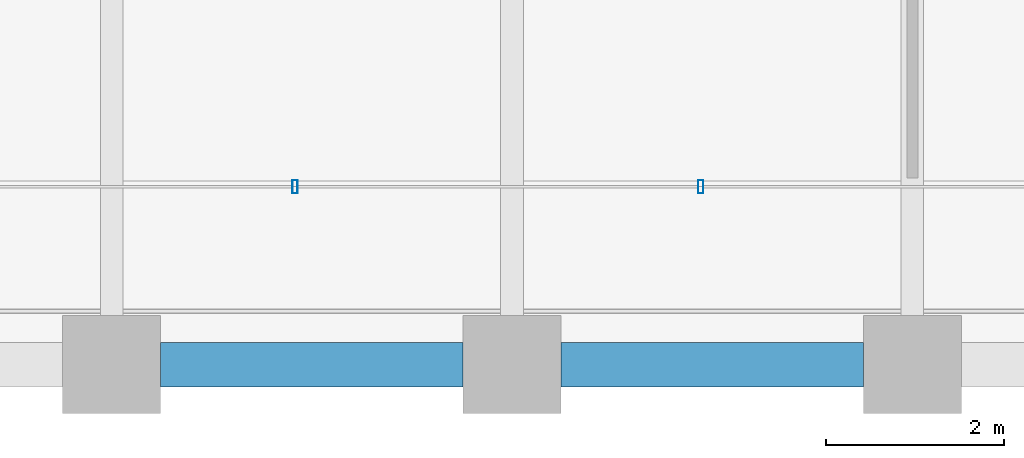
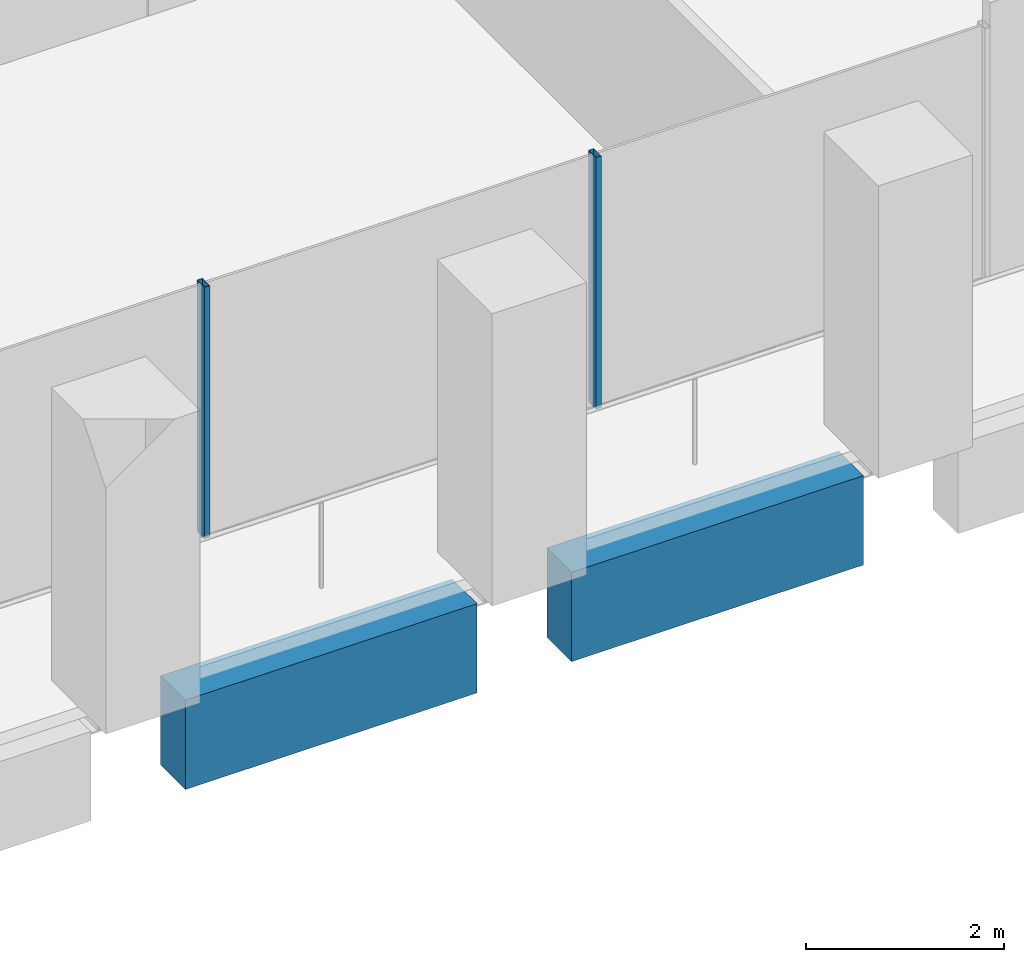
# One storey, part 3 of 56: 2 beams, 2 members, 1 element without a shape of its own.
"""IFC4 building model written with IfcOpenShell, lengths in metres."""

import ifcopenshell
import ifcopenshell.guid

model = None  # the IFC model being written
_history = None  # IfcOwnerHistory: only IFC2X3 demands one
_inside = {}  # id of a spatial element -> (the spatial element, [elements in it])
_under = {}  # id of a project, library or spatial element -> (it, [spatial elements below it])
_declared = {}  # id of a project -> (the project, [libraries it declares])
_typed = {}  # id of a type object -> (the type object, [elements of that type])
_made_of = {}  # id of a material, layer set ... -> (it, [elements and type objects made of it])


def new_model(schema):
    """Start an empty IFC model of exactly this schema.

    Asked for "IFC4X3", IfcOpenShell would pick the latest addendum, in which some entities
    have other attributes; the version numbers below select the first issue.
    IFC2X3 requires an IfcOwnerHistory on every rooted entity: one is made here for all.
    """
    global model, _history
    if schema == "IFC4X3":
        model = ifcopenshell.file(schema_version=(4, 3, 0, 0))
    else:
        model = ifcopenshell.file(schema=schema)
    _inside.clear()
    _under.clear()
    _declared.clear()
    _typed.clear()
    _made_of.clear()
    _history = None
    if model.schema == "IFC2X3":
        org = make("IfcOrganization", Name="unknown")
        user = make(
            "IfcPersonAndOrganization",
            ThePerson=make("IfcPerson", FamilyName="unknown"),
            TheOrganization=org,
        )
        app = make(
            "IfcApplication",
            ApplicationDeveloper=org,
            Version="unknown",
            ApplicationFullName="unknown",
            ApplicationIdentifier="unknown",
        )
        _history = make(
            "IfcOwnerHistory",
            OwningUser=user,
            OwningApplication=app,
            ChangeAction="ADDED",
            CreationDate=0,
        )
    return model


def make(cls, **values):
    """One entity of the class cls with the attributes given. An attribute that is None is left unset."""
    return model.create_entity(
        cls, **{name: value for name, value in values.items() if value is not None}
    )


def rooted(cls, **values):
    """An entity with a GlobalId (a new one), such as an element, a storey or a relation."""
    return make(cls, GlobalId=ifcopenshell.guid.new(), OwnerHistory=_history, **values)


def si_unit(unit_type, name, prefix=None):
    """IfcSIUnit, for example si_unit("LENGTHUNIT", "METRE", prefix="MILLI")."""
    return make("IfcSIUnit", UnitType=unit_type, Prefix=prefix, Name=name)


def assignment(units):
    """IfcUnitAssignment: the units of a project."""
    return None if units is None else make("IfcUnitAssignment", Units=units)


def point(xyz):
    """IfcCartesianPoint."""
    return None if xyz is None else make("IfcCartesianPoint", Coordinates=xyz)


def direction(xyz):
    """IfcDirection."""
    return None if xyz is None else make("IfcDirection", DirectionRatios=xyz)


def frame(location, z_axis=None, x_axis=None):
    """IfcAxis2Placement3D, a coordinate frame: its origin and axes. An axis left out is left unset."""
    return make(
        "IfcAxis2Placement3D",
        Location=point(location),
        Axis=direction(z_axis),
        RefDirection=direction(x_axis),
    )


def frame_2d(location, x_axis=None):
    """IfcAxis2Placement2D, a coordinate frame in the plane: its origin and x axis."""
    return make(
        "IfcAxis2Placement2D", Location=point(location), RefDirection=direction(x_axis)
    )


def origin():
    """The frame at (0, 0, 0) with its axes left unset."""
    return frame((0.0, 0.0, 0.0))


def origin_2d():
    """The frame at (0, 0) in the plane with its x axis left unset."""
    return frame_2d((0.0, 0.0))


def place(relative_to, where):
    """IfcLocalPlacement: puts the frame where relative to a parent placement (None: the world)."""
    return make(
        "IfcLocalPlacement", PlacementRelTo=relative_to, RelativePlacement=where
    )


def context(
    kind, dimensions, precision=None, world=None, true_north=None, identifier=None
):
    """IfcGeometricRepresentationContext, for example the 3D "Model" context."""
    return make(
        "IfcGeometricRepresentationContext",
        ContextIdentifier=identifier,
        ContextType=kind,
        CoordinateSpaceDimension=dimensions,
        Precision=precision,
        WorldCoordinateSystem=world,
        TrueNorth=true_north,
    )


def subcontext(parent, identifier, kind, view, scale=None):
    """IfcGeometricRepresentationSubContext, for example "Body" below "Model"."""
    return make(
        "IfcGeometricRepresentationSubContext",
        ContextIdentifier=identifier,
        ContextType=kind,
        ParentContext=parent,
        TargetScale=scale,
        TargetView=view,
    )


def project(units=None, contexts=None):
    """IfcProject with its units and contexts."""
    return rooted(
        "IfcProject",
        Name="project",
        RepresentationContexts=contexts,
        UnitsInContext=assignment(units),
    )


def spatial(cls, under=None, at=None, **own):
    """A site, building, storey or space (cls), placed at a placement, below another one or the project."""
    s = rooted(cls, ObjectPlacement=at, **own)
    if under is not None:
        _under.setdefault(under.id(), (under, []))[1].append(s)
    return s


def profile(cls, at=None, kind="AREA", **sizes):
    """A parametric profile (cls). Its sizes go by their IFC names, for example OverallWidth=200.0."""
    return make(cls, ProfileType=kind, Position=at, **sizes)


def rectangle(**sizes):
    """IfcRectangleProfileDef."""
    return profile("IfcRectangleProfileDef", **sizes)


def hollow_rectangle(**sizes):
    """IfcRectangleHollowProfileDef."""
    return profile("IfcRectangleHollowProfileDef", **sizes)


def extrude(swept, where, along, depth):
    """IfcExtrudedAreaSolid: the profile swept, set in the frame where, extruded along a direction by depth."""
    return make(
        "IfcExtrudedAreaSolid",
        SweptArea=swept,
        Position=where,
        ExtrudedDirection=direction(along),
        Depth=depth,
    )


def shape(context_of_items, identifier, shape_type, items):
    """IfcShapeRepresentation: the items that make up one representation, for example the "Body"."""
    return make(
        "IfcShapeRepresentation",
        ContextOfItems=context_of_items,
        RepresentationIdentifier=identifier,
        RepresentationType=shape_type,
        Items=items,
    )


def material(Name=None, Category=None):
    """IfcMaterial."""
    return make("IfcMaterial", Name=Name, Category=Category)


def material_profile(
    of_material, cross_section, Name=None, Category=None, Priority=None
):
    """IfcMaterialProfile: a cross section and its material."""
    return make(
        "IfcMaterialProfile",
        Name=Name,
        Material=of_material,
        Profile=cross_section,
        Priority=Priority,
        Category=Category,
    )


def profile_set(profiles, Name=None, composite=None):
    """IfcMaterialProfileSet."""
    return make(
        "IfcMaterialProfileSet",
        Name=Name,
        MaterialProfiles=profiles,
        CompositeProfile=composite,
    )


def made_of(thing, what):
    """Note that an element or type object is made of a material, layer set ...; save() writes the relation."""
    if what is not None:
        _made_of.setdefault(what.id(), (what, []))[1].append(thing)
    return thing


def type_object(cls, material=None, **own):
    """A type object (cls), such as IfcWallType, which elements share."""
    return made_of(rooted(cls, **own), material)


def element(
    cls,
    number,
    at=None,
    inside=None,
    cuts=None,
    type_object=None,
    material=None,
    context=None,
    identifier="Body",
    shape_type=None,
    held_by="IfcProductDefinitionShape",
    body=None,
    shapes=None,
    **own,
):
    """One element of the class cls, such as IfcWall. Its Tag is "e" and its number.

    at: its placement. inside: the storey or other place that contains it. cuts: it is an
    opening in that element (IfcRelVoidsElement). A single representation is given by context,
    identifier, shape_type and body (its items); several are given by shapes. held_by: the class
    of the entity that holds the representations. save() writes the other relations.
    """
    e = rooted(cls, Tag="e%d" % number, ObjectPlacement=at, **own)
    if body is not None:
        shapes = [shape(context, identifier, shape_type, body)]
    if shapes is not None:
        e.Representation = make(held_by, Representations=shapes)
    if inside is not None:
        _inside.setdefault(inside.id(), (inside, []))[1].append(e)
    if cuts is not None:
        rooted(
            "IfcRelVoidsElement", RelatingBuildingElement=cuts, RelatedOpeningElement=e
        )
    if type_object is not None:
        _typed.setdefault(type_object.id(), (type_object, []))[1].append(e)
    return made_of(e, material)


def aggregate(whole, parts):
    """IfcRelAggregates: a whole, such as a stair, and the parts it consists of."""
    return rooted("IfcRelAggregates", RelatingObject=whole, RelatedObjects=parts)


def save(model, path):
    """Write the relations noted so far, then the file.

    IfcRelAggregates (storeys below a building ...), IfcRelContainedInSpatialStructure (elements
    in a storey), IfcRelDefinesByType, IfcRelAssociatesMaterial and IfcRelDeclares: one each for
    every whole, place, type object, material and project.
    """
    for whole, parts in _under.values():
        aggregate(whole, parts)
    for where, things in _inside.values():
        rooted(
            "IfcRelContainedInSpatialStructure",
            RelatedElements=things,
            RelatingStructure=where,
        )
    for kind, things in _typed.values():
        rooted("IfcRelDefinesByType", RelatedObjects=things, RelatingType=kind)
    for what, things in _made_of.values():
        rooted("IfcRelAssociatesMaterial", RelatedObjects=things, RelatingMaterial=what)
    for by, libraries in _declared.values():
        rooted("IfcRelDeclares", RelatingContext=by, RelatedDefinitions=libraries)
    model.write(path)


model = new_model("IFC4")

# Units and contexts
model_context = context("Model", 3, precision=1e-05, world=origin(), true_north=direction((0.0, 1.0)))
body_context = subcontext(model_context, "Body", "Model", "MODEL_VIEW")
ifc_project = project(units=[si_unit("LENGTHUNIT", "METRE"), si_unit("AREAUNIT", "SQUARE_METRE"), si_unit("VOLUMEUNIT", "CUBIC_METRE"), si_unit("PLANEANGLEUNIT", "RADIAN"), si_unit("MASSUNIT", "GRAM", prefix="KILO")], contexts=[model_context])

# Site, building, storey
site_placement = place(None, origin())
site = spatial("IfcSite", under=ifc_project, at=site_placement, CompositionType="ELEMENT")
building_placement = place(site_placement, origin())
building = spatial("IfcBuilding", under=site, at=building_placement, Name="Altepetl Exchange Towers", CompositionType="ELEMENT")
storey_placement = place(building_placement, frame((0.0, 0.0, 83.39990234375)))
storey = spatial("IfcBuildingStorey", under=building, at=storey_placement, Name="L20", CompositionType="ELEMENT", Elevation=83.39990234375)

# Curtain wall, members
ifc_material_1 = material(Name="Aluminium 6063-T6 glazing", Category="aluminium")
curtain_wall_type = type_object("IfcCurtainWallType", Name="Loggia glazing system", PredefinedType="NOTDEFINED", material=ifc_material_1)
curtain_wall_placement = place(storey_placement, origin())
curtain_wall = element("IfcCurtainWall", 1, at=curtain_wall_placement, inside=storey, type_object=curtain_wall_type, Name="CW1 run", PredefinedType="NOTDEFINED")
ifc_material_2 = material(Name="Aluminium 6063-T6", Category="aluminium")
ifc_material_profile_1 = material_profile(ifc_material_2, hollow_rectangle(XDim=0.06005859375, YDim=0.14990234375, WallThickness=0.0029296875, at=origin_2d()), Name="Mullion 60x150 aluminium")
ifc_profile_set_1 = profile_set([ifc_material_profile_1], Name="Aluminium 6063-T6")
member_type = type_object("IfcMemberType", Name="Mullion 60x150 aluminium", PredefinedType="MULLION", material=ifc_profile_set_1)
member_1_placement = place(storey_placement, frame((38.060791015625, 29.0, 0.0)))
member_1 = element("IfcMember", 2, at=member_1_placement, type_object=member_type, Name="MU1 mullion", PredefinedType="MULLION", context=body_context, shape_type="SweptSolid", body=[
    extrude(hollow_rectangle(XDim=0.06005859375, YDim=0.14990234375, WallThickness=0.0029296875, at=origin_2d()), origin(), (0.0, 0.0, 1.0), 3.10009765625),
])
member_2_placement = place(storey_placement, frame((42.621337890625, 29.0, 0.0)))
member_2 = element("IfcMember", 3, at=member_2_placement, type_object=member_type, Name="MU1 mullion", PredefinedType="MULLION", context=body_context, shape_type="SweptSolid", body=[
    extrude(hollow_rectangle(XDim=0.06005859375, YDim=0.14990234375, WallThickness=0.0029296875, at=origin_2d()), origin(), (0.0, 0.0, 1.0), 3.10009765625),
])
aggregate(curtain_wall, [member_1, member_2])

# Beams
ifc_material_3 = material(Name="Concrete C50/60 precast with cantera blanca facing", Category="concrete")
ifc_material_profile_2 = material_profile(ifc_material_3, rectangle(XDim=0.5, YDim=1.10009765625, at=origin_2d()), Name="500 x 1100")
ifc_profile_set_2 = profile_set([ifc_material_profile_2], Name="Concrete C50/60 precast with cantera blanca facing")
beam_type = type_object("IfcBeamType", Name="Spandrel beam 500x1100 cantera blanca", PredefinedType="SPANDREL", material=ifc_profile_set_2)
for number, where, z_axis, x_axis, name in (
    (4, (36.550048828125, 27.0, -0.699951171875), (1.0, 0.0, 0.0), (0.0, 1.0, 0.0), "sp:A:L20:001"),
    (5, (41.050048828125, 27.0, -0.699951171875), (1.0, 0.0, 0.0), (0.0, 1.0, 0.0), "sp:A:L20:002"),
):
    element("IfcBeam", number, at=place(storey_placement, frame(where, z_axis=z_axis, x_axis=x_axis)), inside=storey, type_object=beam_type, Name=name, PredefinedType="SPANDREL", context=body_context, shape_type="SweptSolid", body=[
        extrude(rectangle(XDim=0.5, YDim=1.10009765625, at=origin_2d()), origin(), (0.0, 0.0, 1.0), 3.39990234375),
    ])

save(model, "model.ifc")
